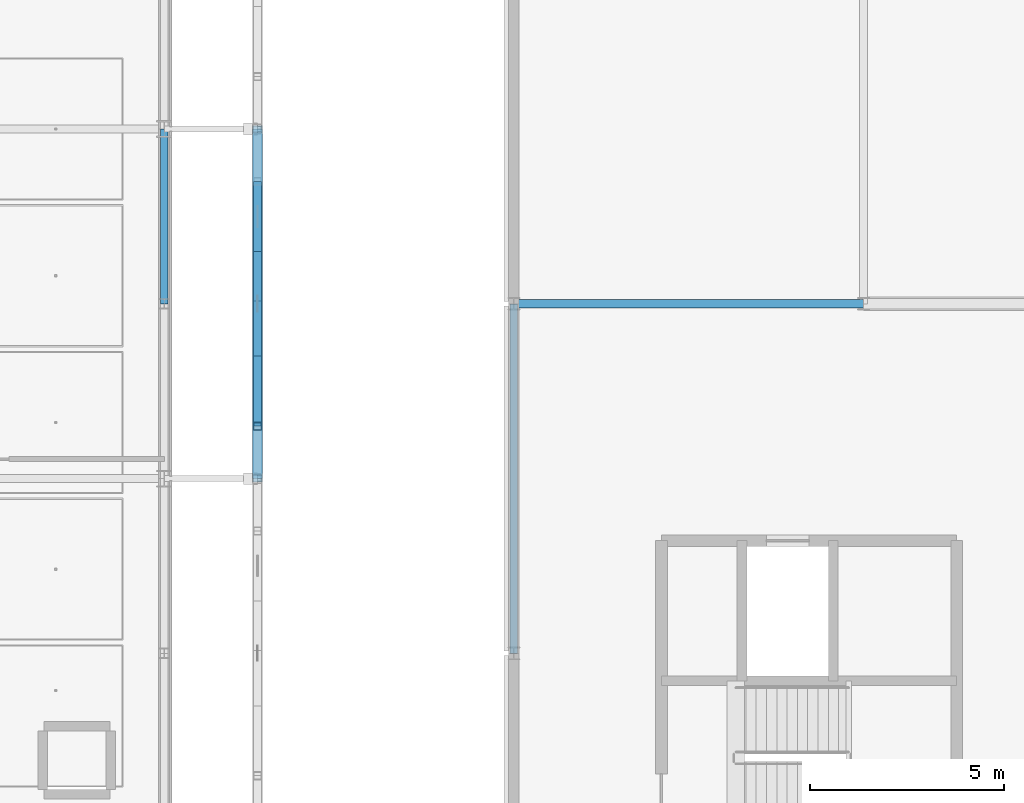
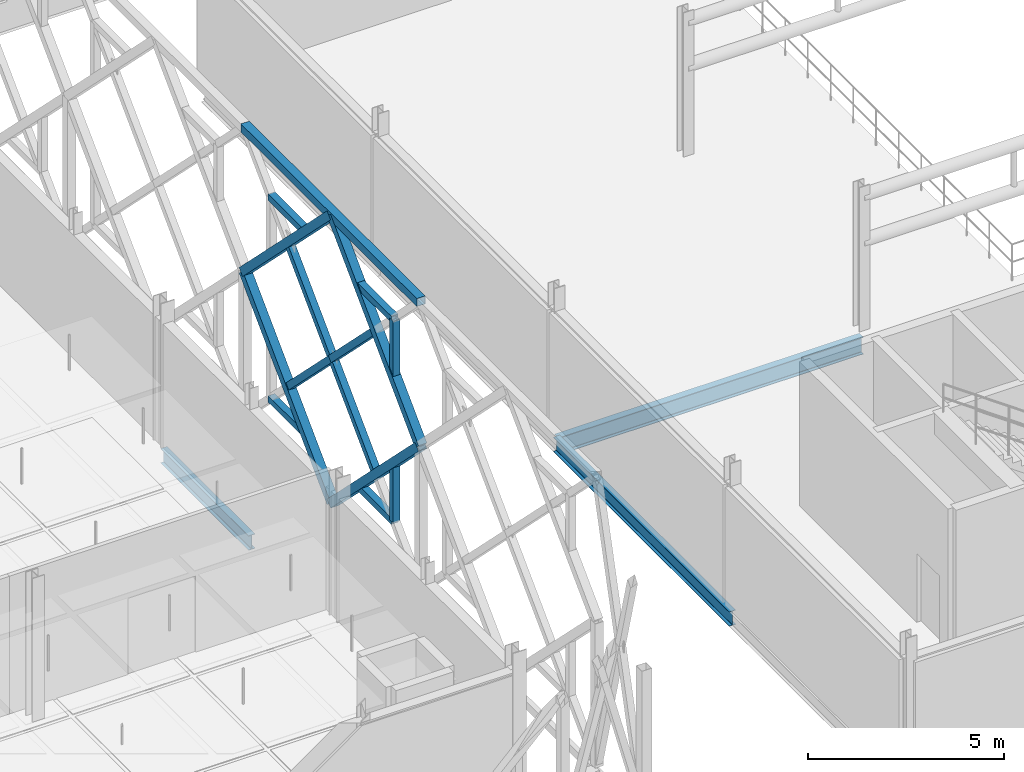
# One storey, part 34 of 140: 14 members, 3 beams.
"""IFC4 building model written with IfcOpenShell, lengths in metres."""

from ifc_helpers import new_model, si_unit, direction, frame, origin, origin_2d, place, context, subcontext, project, spatial, hollow_rectangle, i_section, extrude, material, material_profile, profile_set, type_object, element, save


model = new_model("IFC4")

# Units and contexts
model_context = context("Model", 3, precision=1e-05, world=origin(), true_north=direction((0.0, 1.0)))
body_context = subcontext(model_context, "Body", "Model", "MODEL_VIEW")
ifc_project = project(units=[si_unit("LENGTHUNIT", "METRE"), si_unit("AREAUNIT", "SQUARE_METRE"), si_unit("VOLUMEUNIT", "CUBIC_METRE"), si_unit("PLANEANGLEUNIT", "RADIAN"), si_unit("MASSUNIT", "GRAM", prefix="KILO"), si_unit("THERMODYNAMICTEMPERATUREUNIT", "KELVIN"), si_unit("POWERUNIT", "WATT")], contexts=[model_context])

# Site, building, storey
site_placement = place(None, origin())
site = spatial("IfcSite", under=ifc_project, at=site_placement, CompositionType="ELEMENT")
building_placement = place(site_placement, origin())
building = spatial("IfcBuilding", under=site, at=building_placement, Name="Tallowbark Science Centre", CompositionType="ELEMENT")
storey_placement = place(building_placement, frame((0.0, 0.0, 9.89990234375)))
storey = spatial("IfcBuildingStorey", under=building, at=storey_placement, Name="L02", CompositionType="ELEMENT", Elevation=9.89990234375)

# Beam
ifc_material_1 = material(Name="Structural Steel Grade 300PLUS (300 MPa)", Category="steel")
ifc_material_profile_1 = material_profile(ifc_material_1, i_section(OverallWidth=0.208984375, OverallDepth=0.532958984375, WebThickness=0.01025390625, FlangeThickness=0.015625, FilletRadius=0.013916015625, at=origin_2d()), Name="530UB92.4")
ifc_profile_set_1 = profile_set([ifc_material_profile_1], Name="Structural Steel Grade 300PLUS (300 MPa)")
beam_type_1 = type_object("IfcBeamType", Name="BM-UB530A", PredefinedType="BEAM", material=ifc_profile_set_1)
beam_1_placement = place(storey_placement, frame((112.5, 18.0, -0.511474609375), z_axis=(1.0, 0.0, 0.0), x_axis=(0.0, 1.0, 0.0)))
element("IfcBeam", 1, at=beam_1_placement, inside=storey, type_object=beam_type_1, Name="Primary Girder GRDX-L02-1125-1215-180", PredefinedType="BEAM", context=body_context, shape_type="SweptSolid", body=[
    extrude(i_section(OverallWidth=0.208984375, OverallDepth=0.532958984375, WebThickness=0.01025390625, FlangeThickness=0.015625, FilletRadius=0.013916015625, at=origin_2d()), origin(), (0.0, 0.0, 1.0), 9.0),
])

# Members
ifc_material_2 = material(Name="White Architectural Painted Steel Grade C350L0 (350 MPa)", Category="steel")
ifc_material_profile_2 = material_profile(ifc_material_2, hollow_rectangle(XDim=0.25, YDim=0.25, WallThickness=0.009033203125, at=origin_2d()), Name="250x250x9.0SHS")
ifc_profile_set_2 = profile_set([ifc_material_profile_2], Name="White Architectural Painted Steel Grade C350L0 (350 MPa)")
member_type_1 = type_object("IfcMemberType", Name="SCR-CHD200", PredefinedType="CHORD", material=ifc_profile_set_2)
member_1_placement = place(storey_placement, frame((105.89990234375, 13.5, 9.0), z_axis=(0.0, 1.0, 0.0), x_axis=(-1.0, 0.0, 0.0)))
element("IfcMember", 2, at=member_1_placement, inside=storey, type_object=member_type_1, Name="Star Screen Frame Chord E-31", PredefinedType="CHORD", context=body_context, shape_type="SweptSolid", body=[
    extrude(hollow_rectangle(XDim=0.25, YDim=0.25, WallThickness=0.009033203125, at=origin_2d()), origin(), (0.0, 0.0, 1.0), 9.0),
])
for number, where, z_axis, x_axis, name in (
    (3, (105.89990234375, 18.0, 0.0), (0.0, 0.707106781187, 0.707106781187), (-1.0, 0.0, 0.0), "Star Screen Octagram Diamond Chord E-31-1"),
    (4, (105.89990234375, 22.5, 4.5), (0.0, -0.707106781187, 0.707106781187), (1.0, 0.0, 0.0), "Star Screen Octagram Diamond Chord E-31-2"),
    (5, (105.89990234375, 18.0, 9.0), (0.0, -0.707106781187, -0.707106781187), (1.0, 0.0, 0.0), "Star Screen Octagram Diamond Chord E-31-3"),
    (6, (105.89990234375, 13.5, 4.5), (0.0, 0.707106781187, -0.707106781187), (-1.0, 0.0, 0.0), "Star Screen Octagram Diamond Chord E-31-4"),
):
    element("IfcMember", number, at=place(storey_placement, frame(where, z_axis=z_axis, x_axis=x_axis)), inside=storey, type_object=member_type_1, Name=name, PredefinedType="CHORD", context=body_context, shape_type="SweptSolid", body=[
        extrude(hollow_rectangle(XDim=0.25, YDim=0.25, WallThickness=0.009033203125, at=origin_2d()), origin(), (0.0, 0.0, 1.0), 6.364013671875),
    ])
ifc_material_profile_3 = material_profile(ifc_material_2, hollow_rectangle(XDim=0.199951171875, YDim=0.199951171875, WallThickness=0.009033203125, at=origin_2d()), Name="200x200x9.0SHS")
ifc_profile_set_3 = profile_set([ifc_material_profile_3], Name="White Architectural Painted Steel Grade C350L0 (350 MPa)")
member_type_2 = type_object("IfcMemberType", Name="SCR-STAR139", PredefinedType="BRACE", material=ifc_profile_set_3)
member_2_placement = place(storey_placement, frame((105.89990234375, 15.75, 2.25), z_axis=(0.0, 0.707106781187, 0.707106781187), x_axis=(-1.0, 0.0, 0.0)))
element("IfcMember", 7, at=member_2_placement, inside=storey, type_object=member_type_2, Name="Star Screen Continuous X-Diagonal D1M E-31", PredefinedType="BRACE", context=body_context, shape_type="SweptSolid", body=[
    extrude(hollow_rectangle(XDim=0.199951171875, YDim=0.199951171875, WallThickness=0.009033203125, at=origin_2d()), origin(), (0.0, 0.0, 1.0), 6.364013671875),
])
for number, where, z_axis, x_axis, name in (
    (8, (105.89990234375, 15.75, 6.75), (0.0, 0.707106781187, -0.707106781187), (-1.0, 0.0, 0.0), "Star Screen Split X-Diagonal D2B E-31"),
    (9, (105.89990234375, 18.0, 4.5), (0.0, 0.707106781187, -0.707106781187), (-1.0, 0.0, 0.0), "Star Screen Split X-Diagonal D2C E-31"),
):
    element("IfcMember", number, at=place(storey_placement, frame(where, z_axis=z_axis, x_axis=x_axis)), inside=storey, type_object=member_type_2, Name=name, PredefinedType="BRACE", context=body_context, shape_type="SweptSolid", body=[
        extrude(hollow_rectangle(XDim=0.199951171875, YDim=0.199951171875, WallThickness=0.009033203125, at=origin_2d()), origin(), (0.0, 0.0, 1.0), 3.181884765625),
    ])
ifc_material_profile_4 = material_profile(ifc_material_2, hollow_rectangle(XDim=0.199951171875, YDim=0.199951171875, WallThickness=0.009033203125, at=origin_2d()), Name="200x200x9.0SHS")
ifc_profile_set_4 = profile_set([ifc_material_profile_4], Name="White Architectural Painted Steel Grade C350L0 (350 MPa)")
member_type_3 = type_object("IfcMemberType", Name="SCR-SUB150", PredefinedType="BRACE", material=ifc_profile_set_4)
member_3_placement = place(storey_placement, frame((105.89990234375, 14.85009765625, 1.35009765625), z_axis=(0.0, 1.0, 0.0), x_axis=(-1.0, 0.0, 0.0)))
element("IfcMember", 10, at=member_3_placement, inside=storey, type_object=member_type_3, Name="Star Screen Octagram Point Ray E-31-1", PredefinedType="BRACE", context=body_context, shape_type="SweptSolid", body=[
    extrude(hollow_rectangle(XDim=0.199951171875, YDim=0.199951171875, WallThickness=0.009033203125, at=origin_2d()), origin(), (0.0, 0.0, 1.0), 1.7998046875),
])
member_4_placement = place(storey_placement, frame((105.89990234375, 14.85009765625, 1.35009765625), z_axis=(0.0, 0.0, 1.0), x_axis=(1.0, 0.0, 0.0)))
element("IfcMember", 11, at=member_4_placement, inside=storey, type_object=member_type_3, Name="Star Screen Octagram Point Ray E-31-2", PredefinedType="BRACE", context=body_context, shape_type="SweptSolid", body=[
    extrude(hollow_rectangle(XDim=0.199951171875, YDim=0.199951171875, WallThickness=0.009033203125, at=origin_2d()), origin(), (0.0, 0.0, 1.0), 1.800048828125),
])
for number, where, z_axis, x_axis, name in (
    (12, (105.89990234375, 21.14990234375, 1.35009765625), (0.0, -1.0, 0.0), (1.0, 0.0, 0.0), "Star Screen Octagram Point Ray E-31-3"),
    (13, (105.89990234375, 21.14990234375, 7.650146484375), (0.0, -1.0, 0.0), (1.0, 0.0, 0.0), "Star Screen Octagram Point Ray E-31-5"),
    (14, (105.89990234375, 14.85009765625, 7.650146484375), (0.0, 1.0, 0.0), (-1.0, 0.0, 0.0), "Star Screen Octagram Point Ray E-31-7"),
):
    element("IfcMember", number, at=place(storey_placement, frame(where, z_axis=z_axis, x_axis=x_axis)), inside=storey, type_object=member_type_3, Name=name, PredefinedType="BRACE", context=body_context, shape_type="SweptSolid", body=[
        extrude(hollow_rectangle(XDim=0.199951171875, YDim=0.199951171875, WallThickness=0.009033203125, at=origin_2d()), origin(), (0.0, 0.0, 1.0), 1.7998046875),
    ])
member_5_placement = place(storey_placement, frame((105.89990234375, 14.85009765625, 7.650146484375), z_axis=(0.0, 0.0, -1.0), x_axis=(1.0, 0.0, 0.0)))
element("IfcMember", 15, at=member_5_placement, inside=storey, type_object=member_type_3, Name="Star Screen Octagram Point Ray E-31-8", PredefinedType="BRACE", context=body_context, shape_type="SweptSolid", body=[
    extrude(hollow_rectangle(XDim=0.199951171875, YDim=0.199951171875, WallThickness=0.009033203125, at=origin_2d()), origin(), (0.0, 0.0, 1.0), 1.800048828125),
])

# Beams
ifc_material_profile_5 = material_profile(ifc_material_1, i_section(OverallWidth=0.18994140625, OverallDepth=0.453857421875, WebThickness=0.008544921875, FlangeThickness=0.0126953125, FilletRadius=0.011474609375, at=origin_2d()), Name="460UB67.1")
ifc_profile_set_5 = profile_set([ifc_material_profile_5], Name="Structural Steel Grade 300PLUS (300 MPa)")
beam_type_2 = type_object("IfcBeamType", Name="SPN-UB460", PredefinedType="SPANDREL", material=ifc_profile_set_5)
beam_2_placement = place(storey_placement, frame((103.5, 18.0, -0.40673828125), z_axis=(0.0, 1.0, 0.0), x_axis=(-1.0, 0.0, 0.0)))
element("IfcBeam", 16, at=beam_2_placement, inside=storey, type_object=beam_type_2, Name="Primary Girder GRDY-L02-1035-180-225", PredefinedType="SPANDREL", context=body_context, shape_type="SweptSolid", body=[
    extrude(i_section(OverallWidth=0.18994140625, OverallDepth=0.453857421875, WebThickness=0.008544921875, FlangeThickness=0.0126953125, FilletRadius=0.011474609375, at=origin_2d()), origin(), (0.0, 0.0, 1.0), 4.5),
])
beam_3_placement = place(storey_placement, frame((112.5, 9.0, -0.471923828125), z_axis=(0.0, 1.0, 0.0), x_axis=(-1.0, 0.0, 0.0)))
element("IfcBeam", 17, at=beam_3_placement, inside=storey, type_object=beam_type_2, Name="Primary Girder GRDY-L02-1125-90-180", PredefinedType="SPANDREL", context=body_context, shape_type="SweptSolid", body=[
    extrude(i_section(OverallWidth=0.18994140625, OverallDepth=0.453857421875, WebThickness=0.008544921875, FlangeThickness=0.0126953125, FilletRadius=0.011474609375, at=origin_2d()), origin(), (0.0, 0.0, 1.0), 9.0),
])

save(model, "model.ifc")
